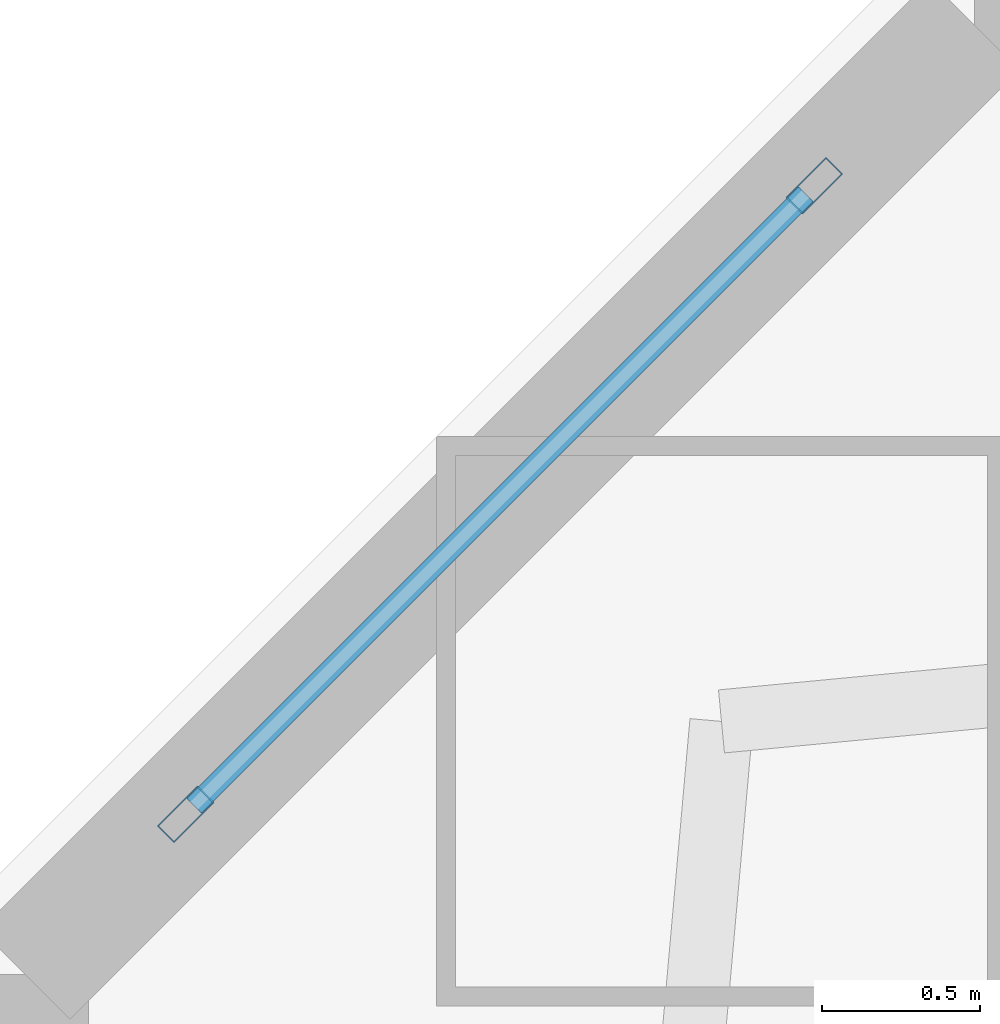
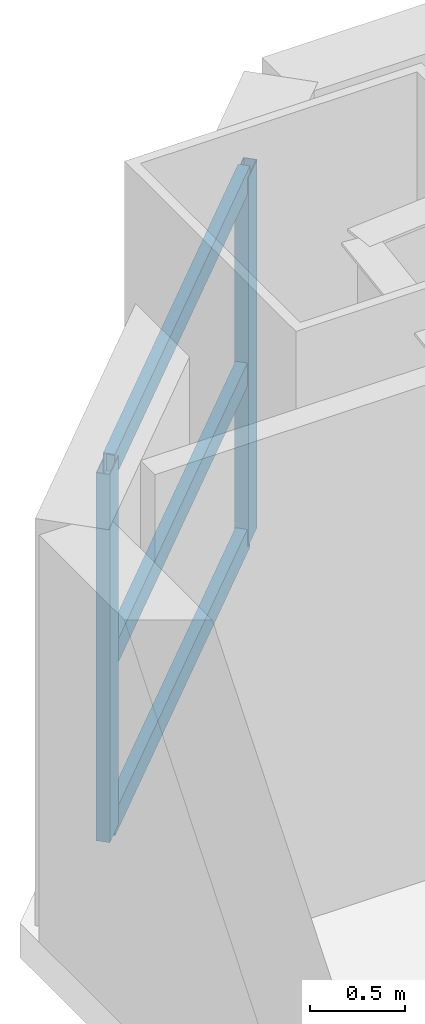
# One storey, part 4 of 18: 5 members, 1 element without a shape of its own.
"""IFC4 building model written with IfcOpenShell, lengths in metres."""

from ifc_helpers import new_model, si_unit, direction, frame, origin, origin_2d, place, context, subcontext, project, spatial, hollow_rectangle, extrude, material, layer, layer_set, material_profile, profile_set, type_object, element, aggregate, save


model = new_model("IFC4")

# Units and contexts
model_context = context("Model", 3, precision=1e-05, world=origin(), true_north=direction((0.0, 1.0)))
body_context = subcontext(model_context, "Body", "Model", "MODEL_VIEW")
ifc_project = project(units=[si_unit("LENGTHUNIT", "METRE"), si_unit("AREAUNIT", "SQUARE_METRE"), si_unit("VOLUMEUNIT", "CUBIC_METRE"), si_unit("PLANEANGLEUNIT", "RADIAN"), si_unit("MASSUNIT", "GRAM", prefix="KILO")], contexts=[model_context])

# Site, building, storey
site_placement = place(None, origin())
site = spatial("IfcSite", under=ifc_project, at=site_placement, CompositionType="ELEMENT")
building_placement = place(site_placement, origin())
building = spatial("IfcBuilding", under=site, at=building_placement, Name="Qiaolan Cultural Towers", CompositionType="ELEMENT")
storey_placement = place(building_placement, frame((0.0, 0.0, 74.75)))
storey = spatial("IfcBuildingStorey", under=building, at=storey_placement, Name="L18", CompositionType="ELEMENT", Elevation=74.75)

# Curtain wall, members
ifc_material_1 = material(Name="Unitized Anodized Aluminium Curtain Wall System", Category="aluminium")
ifc_layer = layer(ifc_material_1, 0.199951171875)
ifc_layer_set = layer_set([ifc_layer], Name="Unitized Anodized Aluminium Curtain Wall System")
curtain_wall_type = type_object("IfcCurtainWallType", Name="CWS-02", PredefinedType="NOTDEFINED", material=ifc_layer_set)
curtain_wall_placement = place(storey_placement, origin())
curtain_wall = element("IfcCurtainWall", 1, at=curtain_wall_placement, inside=storey, type_object=curtain_wall_type, Name="L18 T1 Chamfer Wind-Corner Feature Curtain Wall 1", PredefinedType="NOTDEFINED")
ifc_material_2 = material(Name="Extruded Aluminium 6063-T6", Category="aluminium")
ifc_material_profile_1 = material_profile(ifc_material_2, hollow_rectangle(XDim=0.074951171875, YDim=0.179931640625, WallThickness=0.00390625, at=origin_2d()), Name="CWM-180x75x4")
ifc_profile_set_1 = profile_set([ifc_material_profile_1], Name="Extruded Aluminium 6063-T6")
member_type_1 = type_object("IfcMemberType", Name="CWS-02-MUL", PredefinedType="MULLION", material=ifc_profile_set_1)
member_1_placement = place(storey_placement, frame((10.906494140625, 61.306396484375, 0.14990234375), z_axis=(0.0, 0.0, 1.0), x_axis=(-0.707106781187, 0.707106781187, 0.0)))
member_1 = element("IfcMember", 2, at=member_1_placement, type_object=member_type_1, Name="CW-2 mullion 1", PredefinedType="MULLION", context=body_context, shape_type="SweptSolid", body=[
    extrude(hollow_rectangle(XDim=0.074951171875, YDim=0.179931640625, WallThickness=0.00390625, at=origin_2d()), origin(), (0.0, 0.0, 1.0), 2.360107421875),
])
member_2_placement = place(storey_placement, frame((12.8935546875, 63.29345703125, 0.14990234375), z_axis=(0.0, 0.0, 1.0), x_axis=(-0.707106781187, 0.707106781187, 0.0)))
member_2 = element("IfcMember", 3, at=member_2_placement, type_object=member_type_1, Name="CW-2 mullion 2", PredefinedType="MULLION", context=body_context, shape_type="SweptSolid", body=[
    extrude(hollow_rectangle(XDim=0.074951171875, YDim=0.179931640625, WallThickness=0.00390625, at=origin_2d()), origin(), (0.0, 0.0, 1.0), 2.360107421875),
])
ifc_material_3 = material(Name="Extruded Aluminium 6063-T6", Category="aluminium")
ifc_material_profile_2 = material_profile(ifc_material_3, hollow_rectangle(XDim=0.06494140625, YDim=0.14990234375, WallThickness=0.00390625, at=origin_2d()), Name="CWT-150x65x4")
ifc_profile_set_2 = profile_set([ifc_material_profile_2], Name="Extruded Aluminium 6063-T6")
member_type_2 = type_object("IfcMemberType", Name="CWS-02-TRN", PredefinedType="USERDEFINED", material=ifc_profile_set_2)
member_3_placement = place(storey_placement, frame((10.93310546875, 61.3330078125, 0.1826171875), z_axis=(0.707106781187, 0.707106781187, 0.0), x_axis=(-0.707106781187, 0.707106781187, 0.0)))
member_3 = element("IfcMember", 4, at=member_3_placement, type_object=member_type_2, Name="CW-2 transom 1.1", ObjectType="TRANSOM", PredefinedType="USERDEFINED", context=body_context, shape_type="SweptSolid", body=[
    extrude(hollow_rectangle(XDim=0.06494140625, YDim=0.14990234375, WallThickness=0.00390625, at=origin_2d()), origin(), (0.0, 0.0, 1.0), 2.73486328125),
])
member_4_placement = place(storey_placement, frame((10.93310546875, 61.3330078125, 1.25), z_axis=(0.707106781187, 0.707106781187, 0.0), x_axis=(-0.707106781187, 0.707106781187, 0.0)))
member_4 = element("IfcMember", 5, at=member_4_placement, type_object=member_type_2, Name="CW-2 transom 1.2", ObjectType="TRANSOM", PredefinedType="USERDEFINED", context=body_context, shape_type="SweptSolid", body=[
    extrude(hollow_rectangle(XDim=0.06494140625, YDim=0.14990234375, WallThickness=0.00390625, at=origin_2d()), origin(), (0.0, 0.0, 1.0), 2.73486328125),
])
member_5_placement = place(storey_placement, frame((10.93310546875, 61.3330078125, 2.4775390625), z_axis=(0.707106781187, 0.707106781187, 0.0), x_axis=(-0.707106781187, 0.707106781187, 0.0)))
member_5 = element("IfcMember", 6, at=member_5_placement, type_object=member_type_2, Name="CW-2 transom 1.3", ObjectType="TRANSOM", PredefinedType="USERDEFINED", context=body_context, shape_type="SweptSolid", body=[
    extrude(hollow_rectangle(XDim=0.06494140625, YDim=0.14990234375, WallThickness=0.00390625, at=origin_2d()), origin(), (0.0, 0.0, 1.0), 2.73486328125),
])
aggregate(curtain_wall, [member_1, member_2, member_3, member_4, member_5])

save(model, "model.ifc")
